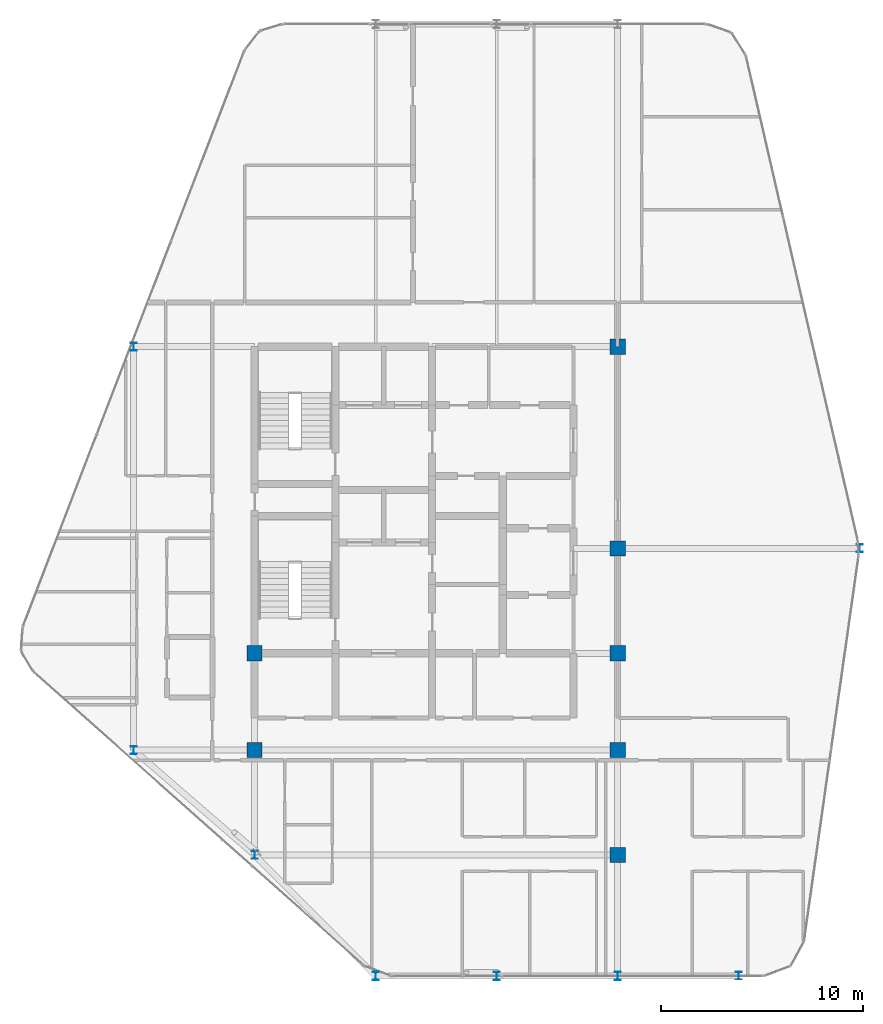
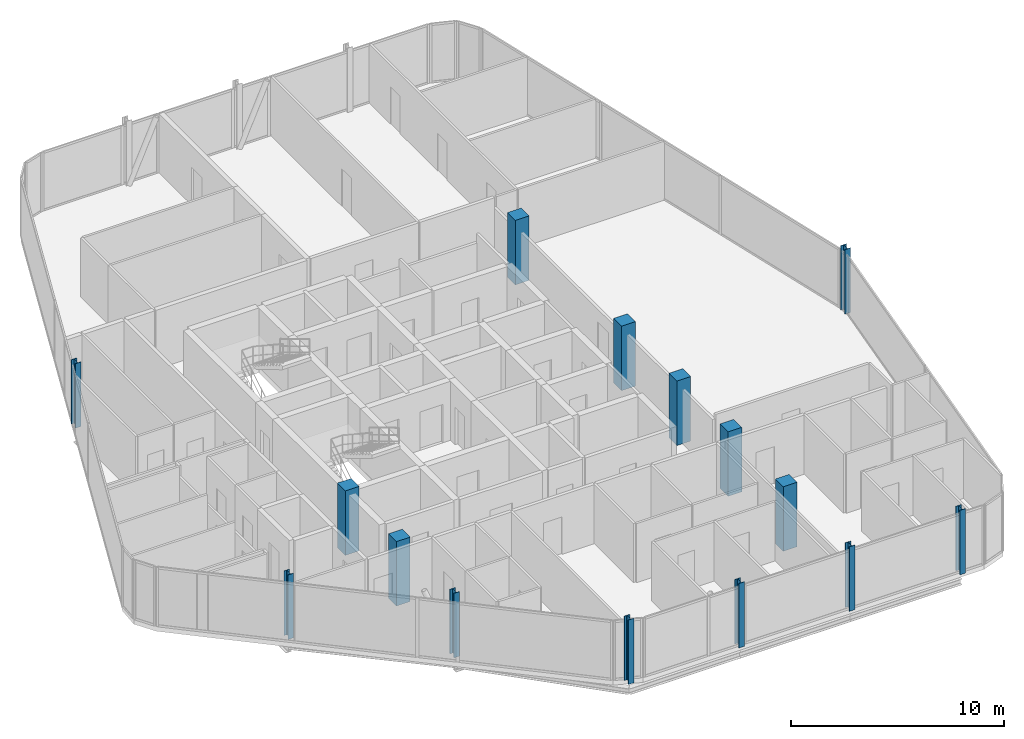
# One storey, part 1 of 27: 15 columns.
"""IFC4 building model written with IfcOpenShell, lengths in metres."""

from ifc_helpers import new_model, si_unit, direction, frame, origin, origin_2d, place, context, subcontext, project, spatial, rectangle, i_section, extrude, material, material_profile, profile_set, type_object, element, save


model = new_model("IFC4")

# Units and contexts
model_context = context("Model", 3, precision=1e-05, world=origin(), true_north=direction((0.0, 1.0)))
body_context = subcontext(model_context, "Body", "Model", "MODEL_VIEW")
ifc_project = project(units=[si_unit("LENGTHUNIT", "METRE"), si_unit("AREAUNIT", "SQUARE_METRE"), si_unit("VOLUMEUNIT", "CUBIC_METRE"), si_unit("PLANEANGLEUNIT", "RADIAN"), si_unit("MASSUNIT", "GRAM", prefix="KILO")], contexts=[model_context])

# Site, building, storey
site_placement = place(None, origin())
site = spatial("IfcSite", under=ifc_project, at=site_placement, CompositionType="ELEMENT")
building_placement = place(site_placement, origin())
building = spatial("IfcBuilding", under=site, at=building_placement, Name="Keshet Zoharim Tower", CompositionType="ELEMENT")
storey_placement = place(building_placement, frame((0.0, 0.0, 247.300048828125)))
storey = spatial("IfcBuildingStorey", under=building, at=storey_placement, Name="L61", CompositionType="ELEMENT", Elevation=247.300048828125)

# Columns
ifc_material_1 = material(Name="Steel S355", Category="steel")
ifc_material_profile_1 = material_profile(ifc_material_1, i_section(OverallWidth=0.300048828125, OverallDepth=0.39990234375, WebThickness=0.013427734375, FlangeThickness=0.02392578125, FilletRadius=0.027099609375, at=origin_2d()), Name="HEB400")
ifc_profile_set_1 = profile_set([ifc_material_profile_1], Name="Steel S355")
column_type_1 = type_object("IfcColumnType", Name="COL-HEB400", PredefinedType="COLUMN", material=ifc_profile_set_1)
for number, where, z_axis, x_axis, name in (
    (1, (9.0, 17.89990234375, 0.0), (0.0, 0.0, 1.0), (1.0, 0.0, 0.0), "L61 Column 2D"),
    (2, (9.0, 37.89990234375, 0.0), (0.0, 0.0, 1.0), (1.0, 0.0, 0.0), "L61 Column 2H"),
    (3, (15.0, 12.699951171875, 0.0), (0.0, 0.0, 1.0), (1.0, 0.0, 0.0), "L61 Column 3C"),
    (4, (21.0, 6.699951171875, 0.0), (0.0, 0.0, 1.0), (1.0, 0.0, 0.0), "L61 Column 4B"),
    (5, (27.0, 6.699951171875, 0.0), (0.0, 0.0, 1.0), (1.0, 0.0, 0.0), "L61 Column 5B"),
    (6, (33.0, 6.699951171875, 0.0), (0.0, 0.0, 1.0), (1.0, 0.0, 0.0), "L61 Column 6B"),
    (7, (39.0, 6.699951171875, 0.0), (0.0, 0.0, 1.0), (1.0, 0.0, 0.0), "L61 Column 7B"),
    (8, (45.0, 27.89990234375, 0.0), (0.0, 0.0, 1.0), (1.0, 0.0, 0.0), "L61 Column 8F"),
):
    element("IfcColumn", number, at=place(storey_placement, frame(where, z_axis=z_axis, x_axis=x_axis)), inside=storey, type_object=column_type_1, Name=name, PredefinedType="COLUMN", context=body_context, shape_type="SweptSolid", body=[
        extrude(i_section(OverallWidth=0.300048828125, OverallDepth=0.39990234375, WebThickness=0.013427734375, FlangeThickness=0.02392578125, FilletRadius=0.027099609375, at=origin_2d()), origin(), (0.0, 0.0, 1.0), 3.699951171875),
    ])
ifc_material_2 = material(Name="Concrete C50/60", Category="concrete")
ifc_material_profile_2 = material_profile(ifc_material_2, rectangle(XDim=0.75, YDim=0.75, at=origin_2d()), Name="RC750x750")
ifc_profile_set_2 = profile_set([ifc_material_profile_2], Name="Concrete C50/60")
column_type_2 = type_object("IfcColumnType", Name="COL-RC750", PredefinedType="COLUMN", material=ifc_profile_set_2)
for number, where, z_axis, x_axis, name in (
    (9, (15.0, 17.89990234375, 0.0), (0.0, 0.0, 1.0), (1.0, 0.0, 0.0), "L61 Column 3D"),
    (10, (15.0, 22.699951171875, 0.0), (0.0, 0.0, 1.0), (1.0, 0.0, 0.0), "L61 Column 3E"),
    (11, (33.0, 12.699951171875, 0.0), (0.0, 0.0, 1.0), (1.0, 0.0, 0.0), "L61 Column 6C"),
    (12, (33.0, 17.89990234375, 0.0), (0.0, 0.0, 1.0), (1.0, 0.0, 0.0), "L61 Column 6D"),
    (13, (33.0, 22.699951171875, 0.0), (0.0, 0.0, 1.0), (1.0, 0.0, 0.0), "L61 Column 6E"),
    (14, (33.0, 27.89990234375, 0.0), (0.0, 0.0, 1.0), (1.0, 0.0, 0.0), "L61 Column 6F"),
    (15, (33.0, 37.89990234375, 0.0), (0.0, 0.0, 1.0), (1.0, 0.0, 0.0), "L61 Column 6H"),
):
    element("IfcColumn", number, at=place(storey_placement, frame(where, z_axis=z_axis, x_axis=x_axis)), inside=storey, type_object=column_type_2, Name=name, PredefinedType="COLUMN", context=body_context, shape_type="SweptSolid", body=[
        extrude(rectangle(XDim=0.75, YDim=0.75, at=origin_2d()), origin(), (0.0, 0.0, 1.0), 3.699951171875),
    ])

save(model, "model.ifc")
